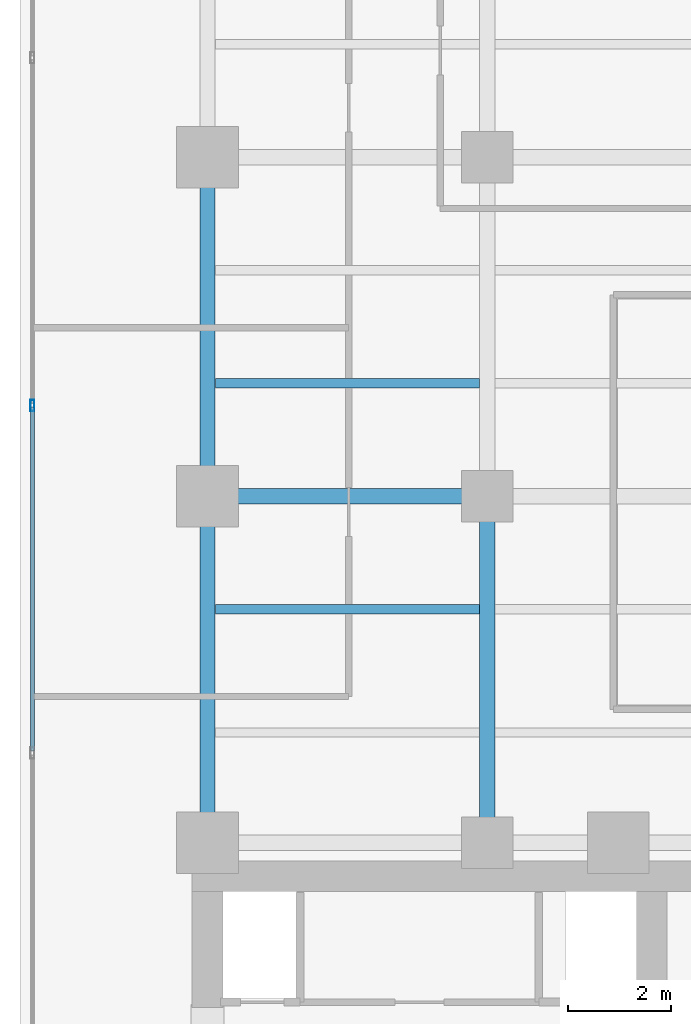
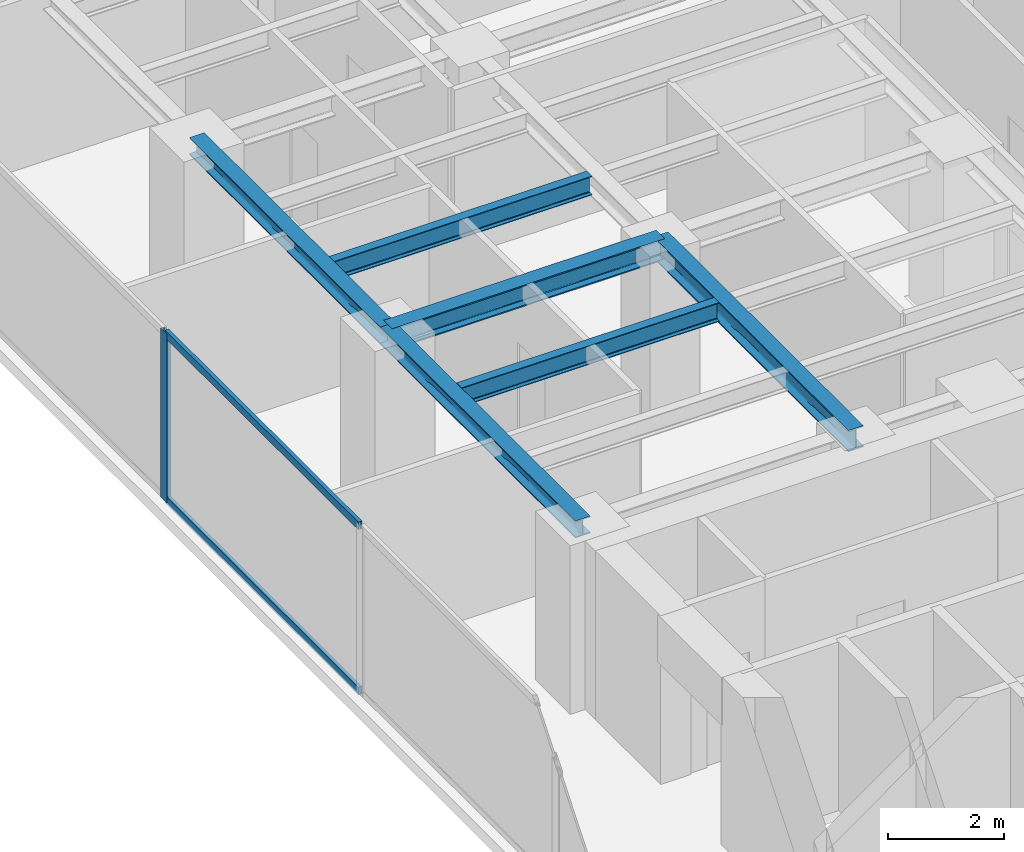
# One storey, part 7 of 23: 6 beams, 3 members, 1 element without a shape of its own.
"""IFC4 building model written with IfcOpenShell, lengths in metres."""

import ifcopenshell
import ifcopenshell.guid

model = None  # the IFC model being written
_history = None  # IfcOwnerHistory: only IFC2X3 demands one
_inside = {}  # id of a spatial element -> (the spatial element, [elements in it])
_under = {}  # id of a project, library or spatial element -> (it, [spatial elements below it])
_declared = {}  # id of a project -> (the project, [libraries it declares])
_typed = {}  # id of a type object -> (the type object, [elements of that type])
_made_of = {}  # id of a material, layer set ... -> (it, [elements and type objects made of it])


def new_model(schema):
    """Start an empty IFC model of exactly this schema.

    Asked for "IFC4X3", IfcOpenShell would pick the latest addendum, in which some entities
    have other attributes; the version numbers below select the first issue.
    IFC2X3 requires an IfcOwnerHistory on every rooted entity: one is made here for all.
    """
    global model, _history
    if schema == "IFC4X3":
        model = ifcopenshell.file(schema_version=(4, 3, 0, 0))
    else:
        model = ifcopenshell.file(schema=schema)
    _inside.clear()
    _under.clear()
    _declared.clear()
    _typed.clear()
    _made_of.clear()
    _history = None
    if model.schema == "IFC2X3":
        org = make("IfcOrganization", Name="unknown")
        user = make(
            "IfcPersonAndOrganization",
            ThePerson=make("IfcPerson", FamilyName="unknown"),
            TheOrganization=org,
        )
        app = make(
            "IfcApplication",
            ApplicationDeveloper=org,
            Version="unknown",
            ApplicationFullName="unknown",
            ApplicationIdentifier="unknown",
        )
        _history = make(
            "IfcOwnerHistory",
            OwningUser=user,
            OwningApplication=app,
            ChangeAction="ADDED",
            CreationDate=0,
        )
    return model


def make(cls, **values):
    """One entity of the class cls with the attributes given. An attribute that is None is left unset."""
    return model.create_entity(
        cls, **{name: value for name, value in values.items() if value is not None}
    )


def rooted(cls, **values):
    """An entity with a GlobalId (a new one), such as an element, a storey or a relation."""
    return make(cls, GlobalId=ifcopenshell.guid.new(), OwnerHistory=_history, **values)


def si_unit(unit_type, name, prefix=None):
    """IfcSIUnit, for example si_unit("LENGTHUNIT", "METRE", prefix="MILLI")."""
    return make("IfcSIUnit", UnitType=unit_type, Prefix=prefix, Name=name)


def assignment(units):
    """IfcUnitAssignment: the units of a project."""
    return None if units is None else make("IfcUnitAssignment", Units=units)


def point(xyz):
    """IfcCartesianPoint."""
    return None if xyz is None else make("IfcCartesianPoint", Coordinates=xyz)


def direction(xyz):
    """IfcDirection."""
    return None if xyz is None else make("IfcDirection", DirectionRatios=xyz)


def frame(location, z_axis=None, x_axis=None):
    """IfcAxis2Placement3D, a coordinate frame: its origin and axes. An axis left out is left unset."""
    return make(
        "IfcAxis2Placement3D",
        Location=point(location),
        Axis=direction(z_axis),
        RefDirection=direction(x_axis),
    )


def frame_2d(location, x_axis=None):
    """IfcAxis2Placement2D, a coordinate frame in the plane: its origin and x axis."""
    return make(
        "IfcAxis2Placement2D", Location=point(location), RefDirection=direction(x_axis)
    )


def origin():
    """The frame at (0, 0, 0) with its axes left unset."""
    return frame((0.0, 0.0, 0.0))


def origin_with_axes():
    """The frame at (0, 0, 0) with the z axis (0, 0, 1) and the x axis (1, 0, 0) written out."""
    return frame((0.0, 0.0, 0.0), z_axis=(0.0, 0.0, 1.0), x_axis=(1.0, 0.0, 0.0))


def origin_2d():
    """The frame at (0, 0) in the plane with its x axis left unset."""
    return frame_2d((0.0, 0.0))


def place(relative_to, where):
    """IfcLocalPlacement: puts the frame where relative to a parent placement (None: the world)."""
    return make(
        "IfcLocalPlacement", PlacementRelTo=relative_to, RelativePlacement=where
    )


def context(
    kind, dimensions, precision=None, world=None, true_north=None, identifier=None
):
    """IfcGeometricRepresentationContext, for example the 3D "Model" context."""
    return make(
        "IfcGeometricRepresentationContext",
        ContextIdentifier=identifier,
        ContextType=kind,
        CoordinateSpaceDimension=dimensions,
        Precision=precision,
        WorldCoordinateSystem=world,
        TrueNorth=true_north,
    )


def subcontext(parent, identifier, kind, view, scale=None):
    """IfcGeometricRepresentationSubContext, for example "Body" below "Model"."""
    return make(
        "IfcGeometricRepresentationSubContext",
        ContextIdentifier=identifier,
        ContextType=kind,
        ParentContext=parent,
        TargetScale=scale,
        TargetView=view,
    )


def project(units=None, contexts=None):
    """IfcProject with its units and contexts."""
    return rooted(
        "IfcProject",
        Name="project",
        RepresentationContexts=contexts,
        UnitsInContext=assignment(units),
    )


def spatial(cls, under=None, at=None, **own):
    """A site, building, storey or space (cls), placed at a placement, below another one or the project."""
    s = rooted(cls, ObjectPlacement=at, **own)
    if under is not None:
        _under.setdefault(under.id(), (under, []))[1].append(s)
    return s


def profile(cls, at=None, kind="AREA", **sizes):
    """A parametric profile (cls). Its sizes go by their IFC names, for example OverallWidth=200.0."""
    return make(cls, ProfileType=kind, Position=at, **sizes)


def hollow_rectangle(**sizes):
    """IfcRectangleHollowProfileDef."""
    return profile("IfcRectangleHollowProfileDef", **sizes)


def i_section(**sizes):
    """IfcIShapeProfileDef."""
    return profile("IfcIShapeProfileDef", **sizes)


def extrude(swept, where, along, depth):
    """IfcExtrudedAreaSolid: the profile swept, set in the frame where, extruded along a direction by depth."""
    return make(
        "IfcExtrudedAreaSolid",
        SweptArea=swept,
        Position=where,
        ExtrudedDirection=direction(along),
        Depth=depth,
    )


def shape(context_of_items, identifier, shape_type, items):
    """IfcShapeRepresentation: the items that make up one representation, for example the "Body"."""
    return make(
        "IfcShapeRepresentation",
        ContextOfItems=context_of_items,
        RepresentationIdentifier=identifier,
        RepresentationType=shape_type,
        Items=items,
    )


def source(mapping_origin, context_of_items, identifier, shape_type, items):
    """IfcRepresentationMap: a shape defined once, which mapped items show again and again."""
    return make(
        "IfcRepresentationMap",
        MappingOrigin=mapping_origin,
        MappedRepresentation=shape(context_of_items, identifier, shape_type, items),
    )


def transform(
    local_origin,
    x_axis=None,
    y_axis=None,
    z_axis=None,
    scale=None,
    scale2=None,
    scale3=None,
    uniform=True,
):
    """IfcCartesianTransformationOperator3D, or its non-uniform kind. x_axis, y_axis, z_axis: its Axis1, 2, 3."""
    if uniform:
        return make(
            "IfcCartesianTransformationOperator3D",
            Axis1=direction(x_axis),
            Axis2=direction(y_axis),
            LocalOrigin=point(local_origin),
            Scale=scale,
            Axis3=direction(z_axis),
        )
    return make(
        "IfcCartesianTransformationOperator3DnonUniform",
        Axis1=direction(x_axis),
        Axis2=direction(y_axis),
        LocalOrigin=point(local_origin),
        Scale=scale,
        Axis3=direction(z_axis),
        Scale2=scale2,
        Scale3=scale3,
    )


def mapped(mapping_source, mapping_target):
    """IfcMappedItem: shows the shape of a source again, moved by a transform."""
    return make(
        "IfcMappedItem", MappingSource=mapping_source, MappingTarget=mapping_target
    )


def material(Name=None, Category=None):
    """IfcMaterial."""
    return make("IfcMaterial", Name=Name, Category=Category)


def layer(
    of_material, thickness, ventilated=None, Name=None, Category=None, Priority=None
):
    """IfcMaterialLayer: one layer of a wall or slab, of a material (None: an air gap)."""
    return make(
        "IfcMaterialLayer",
        Material=of_material,
        LayerThickness=thickness,
        IsVentilated=ventilated,
        Name=Name,
        Category=Category,
        Priority=Priority,
    )


def layer_set(layers, Name=None):
    """IfcMaterialLayerSet."""
    return make("IfcMaterialLayerSet", MaterialLayers=layers, LayerSetName=Name)


def material_profile(
    of_material, cross_section, Name=None, Category=None, Priority=None
):
    """IfcMaterialProfile: a cross section and its material."""
    return make(
        "IfcMaterialProfile",
        Name=Name,
        Material=of_material,
        Profile=cross_section,
        Priority=Priority,
        Category=Category,
    )


def profile_set(profiles, Name=None, composite=None):
    """IfcMaterialProfileSet."""
    return make(
        "IfcMaterialProfileSet",
        Name=Name,
        MaterialProfiles=profiles,
        CompositeProfile=composite,
    )


def made_of(thing, what):
    """Note that an element or type object is made of a material, layer set ...; save() writes the relation."""
    if what is not None:
        _made_of.setdefault(what.id(), (what, []))[1].append(thing)
    return thing


def type_object(cls, material=None, **own):
    """A type object (cls), such as IfcWallType, which elements share."""
    return made_of(rooted(cls, **own), material)


def element(
    cls,
    number,
    at=None,
    inside=None,
    cuts=None,
    type_object=None,
    material=None,
    context=None,
    identifier="Body",
    shape_type=None,
    held_by="IfcProductDefinitionShape",
    body=None,
    shapes=None,
    **own,
):
    """One element of the class cls, such as IfcWall. Its Tag is "e" and its number.

    at: its placement. inside: the storey or other place that contains it. cuts: it is an
    opening in that element (IfcRelVoidsElement). A single representation is given by context,
    identifier, shape_type and body (its items); several are given by shapes. held_by: the class
    of the entity that holds the representations. save() writes the other relations.
    """
    e = rooted(cls, Tag="e%d" % number, ObjectPlacement=at, **own)
    if body is not None:
        shapes = [shape(context, identifier, shape_type, body)]
    if shapes is not None:
        e.Representation = make(held_by, Representations=shapes)
    if inside is not None:
        _inside.setdefault(inside.id(), (inside, []))[1].append(e)
    if cuts is not None:
        rooted(
            "IfcRelVoidsElement", RelatingBuildingElement=cuts, RelatedOpeningElement=e
        )
    if type_object is not None:
        _typed.setdefault(type_object.id(), (type_object, []))[1].append(e)
    return made_of(e, material)


def aggregate(whole, parts):
    """IfcRelAggregates: a whole, such as a stair, and the parts it consists of."""
    return rooted("IfcRelAggregates", RelatingObject=whole, RelatedObjects=parts)


def save(model, path):
    """Write the relations noted so far, then the file.

    IfcRelAggregates (storeys below a building ...), IfcRelContainedInSpatialStructure (elements
    in a storey), IfcRelDefinesByType, IfcRelAssociatesMaterial and IfcRelDeclares: one each for
    every whole, place, type object, material and project.
    """
    for whole, parts in _under.values():
        aggregate(whole, parts)
    for where, things in _inside.values():
        rooted(
            "IfcRelContainedInSpatialStructure",
            RelatedElements=things,
            RelatingStructure=where,
        )
    for kind, things in _typed.values():
        rooted("IfcRelDefinesByType", RelatedObjects=things, RelatingType=kind)
    for what, things in _made_of.values():
        rooted("IfcRelAssociatesMaterial", RelatedObjects=things, RelatingMaterial=what)
    for by, libraries in _declared.values():
        rooted("IfcRelDeclares", RelatingContext=by, RelatedDefinitions=libraries)
    model.write(path)


model = new_model("IFC4")

# Units and contexts
model_context = context("Model", 3, precision=1e-05, world=origin(), true_north=direction((0.0, 1.0)))
body_context = subcontext(model_context, "Body", "Model", "MODEL_VIEW")
ifc_project = project(units=[si_unit("LENGTHUNIT", "METRE"), si_unit("AREAUNIT", "SQUARE_METRE"), si_unit("VOLUMEUNIT", "CUBIC_METRE"), si_unit("PLANEANGLEUNIT", "RADIAN"), si_unit("MASSUNIT", "GRAM", prefix="KILO")], contexts=[model_context])

# Site, building, storey
site_placement = place(None, origin())
site = spatial("IfcSite", under=ifc_project, at=site_placement, CompositionType="ELEMENT")
building_placement = place(site_placement, origin())
building = spatial("IfcBuilding", under=site, at=building_placement, Name="Kolvaren Waterfront Exchange", CompositionType="ELEMENT")
storey_placement = place(building_placement, frame((0.0, 0.0, 188.0)))
storey = spatial("IfcBuildingStorey", under=building, at=storey_placement, Name="L48", CompositionType="ELEMENT", Elevation=188.0)

# Beams
ifc_material_1 = material(Name="Steel S355", Category="steel")
ifc_material_profile_1 = material_profile(ifc_material_1, i_section(OverallWidth=0.300048828125, OverallDepth=0.360107421875, WebThickness=0.012451171875, FlangeThickness=0.0224609375, FilletRadius=0.027099609375, at=origin_2d()), Name="HEB360")
ifc_profile_set_1 = profile_set([ifc_material_profile_1], Name="Steel S355")
beam_type_1 = type_object("IfcBeamType", Name="STR-BM-HEB360", PredefinedType="SPANDREL", material=ifc_profile_set_1)
beam_1_placement = place(storey_placement, frame((7.449951171875, 24.449951171875, 3.3798828125), z_axis=(0.0, 1.0, 0.0), x_axis=(-1.0, 0.0, 0.0)))
element("IfcBeam", 1, at=beam_1_placement, inside=storey, type_object=beam_type_1, Name="L48 north-arm edge beam 1", PredefinedType="SPANDREL", context=body_context, shape_type="SweptSolid", body=[
    extrude(i_section(OverallWidth=0.300048828125, OverallDepth=0.360107421875, WebThickness=0.012451171875, FlangeThickness=0.0224609375, FilletRadius=0.027099609375, at=origin_2d()), origin(), (0.0, 0.0, 1.0), 6.75),
])
beam_2_placement = place(storey_placement, frame((7.449951171875, 31.199951171875, 3.3798828125), z_axis=(0.0, 1.0, 0.0), x_axis=(-1.0, 0.0, 0.0)))
element("IfcBeam", 2, at=beam_2_placement, inside=storey, type_object=beam_type_1, Name="L48 north-arm edge beam 2", PredefinedType="SPANDREL", context=body_context, shape_type="SweptSolid", body=[
    extrude(i_section(OverallWidth=0.300048828125, OverallDepth=0.360107421875, WebThickness=0.012451171875, FlangeThickness=0.0224609375, FilletRadius=0.027099609375, at=origin_2d()), origin(), (0.0, 0.0, 1.0), 6.60009765625),
])
ifc_material_profile_2 = material_profile(ifc_material_1, i_section(OverallWidth=0.300048828125, OverallDepth=0.449951171875, WebThickness=0.013916015625, FlangeThickness=0.02587890625, FilletRadius=0.027099609375, at=origin_2d()), Name="HEB450")
ifc_profile_set_2 = profile_set([ifc_material_profile_2], Name="Steel S355")
beam_type_2 = type_object("IfcBeamType", Name="STR-BM-HEB450", PredefinedType="BEAM", material=ifc_profile_set_2)
beam_3_placement = place(storey_placement, frame((7.449951171875, 31.199951171875, 3.3349609375), z_axis=(1.0, 0.0, 0.0), x_axis=(0.0, 1.0, 0.0)))
element("IfcBeam", 3, at=beam_3_placement, inside=storey, type_object=beam_type_2, Name="L48 north-arm girder 2A", PredefinedType="BEAM", context=body_context, shape_type="SweptSolid", body=[
    extrude(i_section(OverallWidth=0.300048828125, OverallDepth=0.449951171875, WebThickness=0.013916015625, FlangeThickness=0.02587890625, FilletRadius=0.027099609375, at=origin_2d()), origin(), (0.0, 0.0, 1.0), 5.449951171875),
])
beam_4_placement = place(storey_placement, frame((12.89990234375, 24.449951171875, 3.3349609375), z_axis=(0.0, 1.0, 0.0), x_axis=(-1.0, 0.0, 0.0)))
element("IfcBeam", 4, at=beam_4_placement, inside=storey, type_object=beam_type_2, Name="L48 north-arm edge beam 1", PredefinedType="BEAM", context=body_context, shape_type="SweptSolid", body=[
    extrude(i_section(OverallWidth=0.300048828125, OverallDepth=0.449951171875, WebThickness=0.013916015625, FlangeThickness=0.02587890625, FilletRadius=0.027099609375, at=origin_2d()), origin(), (0.0, 0.0, 1.0), 6.75),
])
ifc_material_profile_3 = material_profile(ifc_material_1, i_section(OverallWidth=0.179931640625, OverallDepth=0.39990234375, WebThickness=0.008544921875, FlangeThickness=0.013427734375, FilletRadius=0.02099609375, at=origin_2d()), Name="IPE400")
ifc_profile_set_3 = profile_set([ifc_material_profile_3], Name="Steel S355")
beam_type_3 = type_object("IfcBeamType", Name="STR-BM-IPE400", PredefinedType="JOIST", material=ifc_profile_set_3)
for number, where, z_axis, x_axis, name in (
    (5, (7.60205078125, 29.0, 3.360107421875), (1.0, 0.0, 0.0), (0.0, 1.0, 0.0), "L48 north-arm composite joist 2A"),
    (6, (7.60205078125, 33.39990234375, 3.360107421875), (1.0, 0.0, 0.0), (0.0, 1.0, 0.0), "L48 north-arm composite joist 3A"),
):
    element("IfcBeam", number, at=place(storey_placement, frame(where, z_axis=z_axis, x_axis=x_axis)), inside=storey, type_object=beam_type_3, Name=name, PredefinedType="JOIST", context=body_context, shape_type="SweptSolid", body=[
        extrude(i_section(OverallWidth=0.179931640625, OverallDepth=0.39990234375, WebThickness=0.008544921875, FlangeThickness=0.013427734375, FilletRadius=0.02099609375, at=origin_2d()), origin(), (0.0, 0.0, 1.0), 5.14599609375),
    ])

# Curtain wall, members
ifc_material_2 = material(Name="Anodised aluminium 6063-T6", Category="aluminium")
ifc_layer = layer(ifc_material_2, 0.219970703125, Name="Anodised aluminium 6063-T6")
ifc_layer_set = layer_set([ifc_layer], Name="Anodised aluminium 6063-T6")
curtain_wall_type = type_object("IfcCurtainWallType", Name="ARC-CW-SYS2", PredefinedType="USERDEFINED", material=ifc_layer_set)
curtain_wall_placement = place(storey_placement, origin())
curtain_wall = element("IfcCurtainWall", 7, at=curtain_wall_placement, inside=storey, type_object=curtain_wall_type, Name="L48 stick curtain wall CW2 (CW-L48-W)", ObjectType="STICK CURTAIN WALL", PredefinedType="USERDEFINED")
ifc_material_profile_4 = material_profile(ifc_material_2, hollow_rectangle(XDim=0.080078125, YDim=0.219970703125, WallThickness=0.0048828125, at=origin_2d()), Name="ALU-MUL-220x80x5")
ifc_profile_set_4 = profile_set([ifc_material_profile_4], Name="Anodised aluminium 6063-T6")
member_type_1 = type_object("IfcMemberType", Name="ARC-CWM-220", PredefinedType="MULLION", material=ifc_profile_set_4)
shared_shape_1 = source(origin_with_axes(), body_context, "Body", "SweptSolid", [
    extrude(hollow_rectangle(XDim=0.080078125, YDim=0.219970703125, WallThickness=0.0048828125, at=origin_2d()), origin(), (0.0, 0.0, 1.0), 3.56005859375),
])
member_1_placement = place(storey_placement, frame((4.0400390625, 32.966552734375, 0.0), z_axis=(0.0, 0.0, 1.0), x_axis=(-1.0, 0.0, 0.0)))
member_1 = element("IfcMember", 8, at=member_1_placement, type_object=member_type_1, Name="CW2 mullion 5", PredefinedType="MULLION", context=body_context, shape_type="MappedRepresentation", body=[
    mapped(shared_shape_1, transform((0.0, 0.0, 0.0), x_axis=(1.0, 0.0, 0.0), y_axis=(0.0, 1.0, 0.0), z_axis=(0.0, 0.0, 1.0), scale=1.0)),
])
ifc_material_profile_5 = material_profile(ifc_material_2, hollow_rectangle(XDim=0.074951171875, YDim=0.159912109375, WallThickness=0.00439453125, at=origin_2d()), Name="ALU-TRN-160x75x4.5")
ifc_profile_set_5 = profile_set([ifc_material_profile_5], Name="Anodised aluminium 6063-T6")
member_type_2 = type_object("IfcMemberType", Name="ARC-CWT-160", PredefinedType="USERDEFINED", material=ifc_profile_set_5)
shared_shape_2 = source(origin_with_axes(), body_context, "Body", "SweptSolid", [
    extrude(hollow_rectangle(XDim=0.074951171875, YDim=0.159912109375, WallThickness=0.00439453125, at=origin_2d()), origin(), (0.0, 0.0, 1.0), 6.686767578125),
])
member_2_placement = place(storey_placement, frame((4.0400390625, 26.239990234375, 0.03759765625), z_axis=(0.0, 1.0, 0.0), x_axis=(-1.0, 0.0, 0.0)))
member_2 = element("IfcMember", 9, at=member_2_placement, type_object=member_type_2, Name="CW2 transom 4.1", ObjectType="TRANSOM", PredefinedType="USERDEFINED", context=body_context, shape_type="MappedRepresentation", body=[
    mapped(shared_shape_2, transform((0.0, 0.0, 0.0), x_axis=(1.0, 0.0, 0.0), y_axis=(0.0, 1.0, 0.0), z_axis=(0.0, 0.0, 1.0), scale=1.0)),
])
member_3_placement = place(storey_placement, frame((4.0400390625, 26.239990234375, 3.5224609375), z_axis=(0.0, 1.0, 0.0), x_axis=(-1.0, 0.0, 0.0)))
member_3 = element("IfcMember", 10, at=member_3_placement, type_object=member_type_2, Name="CW2 transom 4.2", ObjectType="TRANSOM", PredefinedType="USERDEFINED", context=body_context, shape_type="MappedRepresentation", body=[
    mapped(shared_shape_2, transform((0.0, 0.0, 0.0), x_axis=(1.0, 0.0, 0.0), y_axis=(0.0, 1.0, 0.0), z_axis=(0.0, 0.0, 1.0), scale=1.0)),
])
aggregate(curtain_wall, [member_1, member_2, member_3])

save(model, "model.ifc")
